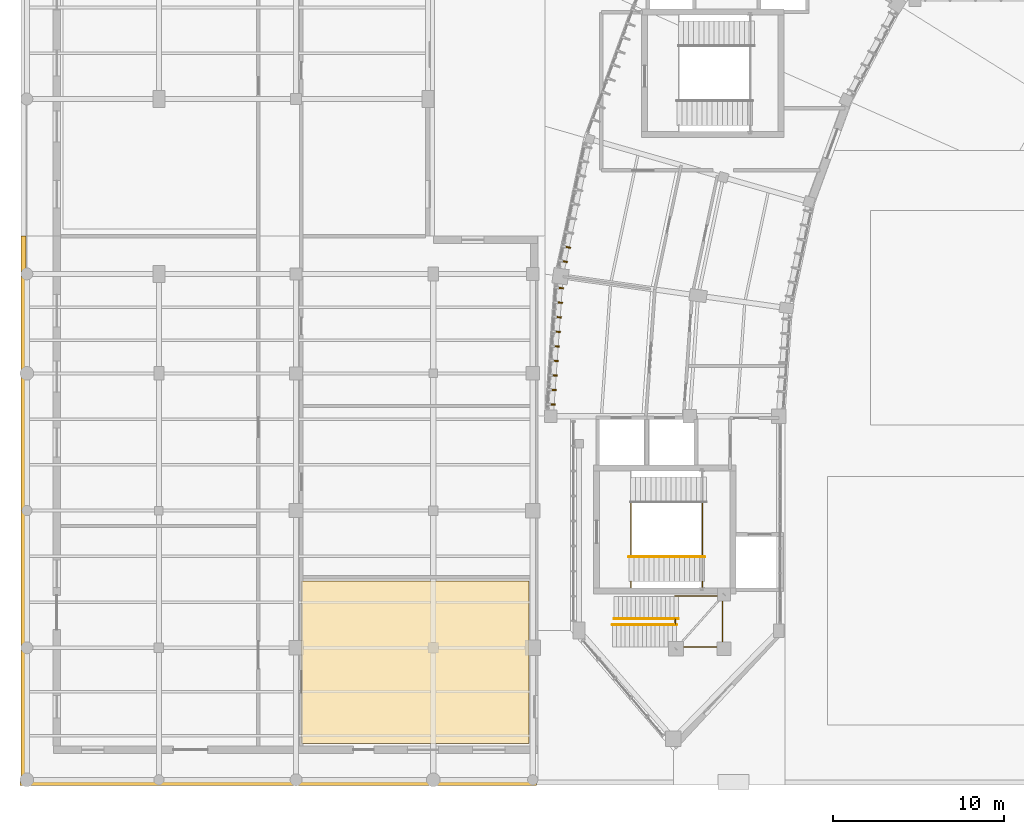
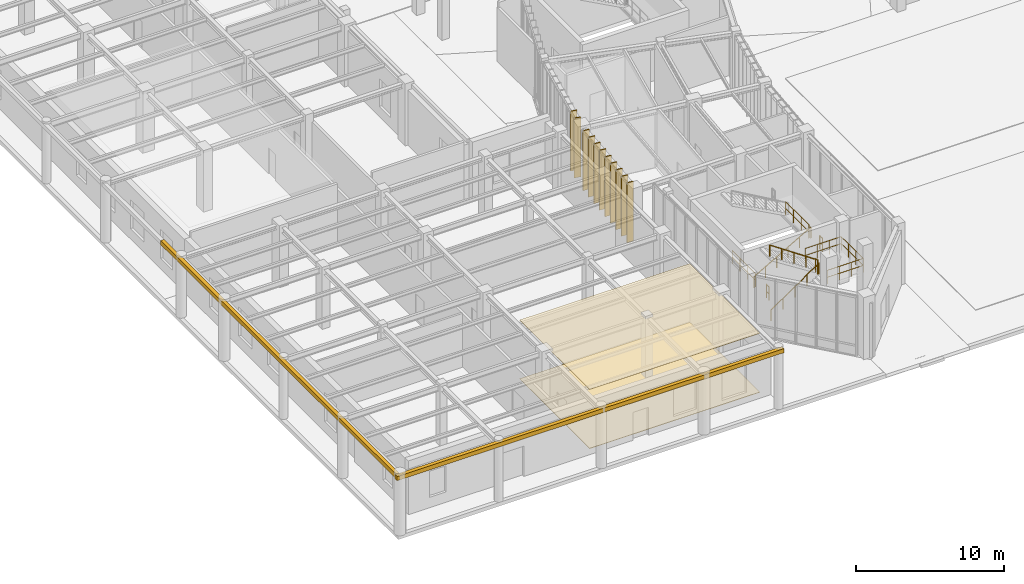
# One storey, part 54 of 68: 15 coverings, 9 railings.
"""IFC4 building model written with IfcOpenShell, lengths in metres."""

from ifc_helpers import new_model, si_unit, direction, frame, origin, origin_2d, place, context, subcontext, project, spatial, polyline, rectangle, circle, outline, extrude, material, layer, layer_set, type_object, element, save


model = new_model("IFC4")

# Units and contexts
model_context = context("Model", 3, precision=1e-05, world=origin(), true_north=direction((0.0, 1.0)))
body_context = subcontext(model_context, "Body", "Model", "MODEL_VIEW")
ifc_project = project(units=[si_unit("LENGTHUNIT", "METRE"), si_unit("AREAUNIT", "SQUARE_METRE"), si_unit("VOLUMEUNIT", "CUBIC_METRE"), si_unit("PLANEANGLEUNIT", "RADIAN"), si_unit("MASSUNIT", "GRAM", prefix="KILO"), si_unit("THERMODYNAMICTEMPERATUREUNIT", "KELVIN"), si_unit("POWERUNIT", "WATT")], contexts=[model_context])

# Site, building, storey
site_placement = place(None, origin())
site = spatial("IfcSite", under=ifc_project, at=site_placement, CompositionType="ELEMENT")
building_placement = place(site_placement, origin())
building = spatial("IfcBuilding", under=site, at=building_placement, Name="Solvatero Civic Police Headquarters", CompositionType="ELEMENT")
storey_placement = place(building_placement, origin())
storey = spatial("IfcBuildingStorey", under=building, at=storey_placement, Name="L00", CompositionType="ELEMENT", Elevation=0.0)

# Coverings
ifc_material_1 = material(Name="Mineral-Fibre Acoustic Tile", Category="gypsum")
ifc_layer_1 = layer(ifc_material_1, 0.02490234375)
ifc_layer_set_1 = layer_set([ifc_layer_1], Name="Mineral-Fibre Acoustic Tile")
covering_type_1 = type_object("IfcCoveringType", Name="COV-CEIL-AC", PredefinedType="CEILING", material=ifc_layer_set_1)
covering_1_placement = place(storey_placement, frame((0.0, 0.0, 4.85498046875)))
element("IfcCovering", 1, at=covering_1_placement, inside=storey, type_object=covering_type_1, Name="Acoustic Ceiling 24-Hour Fire Command and Security Control Room", PredefinedType="CEILING", context=body_context, shape_type="SweptSolid", body=[
    extrude(outline(polyline([(34.080078125, 16.3798828125), (34.080078125, 6.919921875), (20.820068359375, 6.919921875), (20.820068359375, 16.3798828125), (34.080078125, 16.3798828125)])), origin(), (0.0, 0.0, 1.0), 0.02490234375),
])
ifc_material_2 = material(Name="Anodized Bronze Aluminium", Category="aluminium")
ifc_layer_2 = layer(ifc_material_2, 0.080078125)
ifc_layer_set_2 = layer_set([ifc_layer_2], Name="Anodized Bronze Aluminium")
covering_type_2 = type_object("IfcCoveringType", Name="COV-FIN-480", PredefinedType="CLADDING", material=ifc_layer_set_2)
for number, where, z_axis, x_axis, name in (
    (2, (36.263916015625, 35.870849609375, -0.02001953125), (0.0, 0.0, 1.0), (-0.207911690818, -0.978147600734, 0.0), "Vertical Brise-Soleil Fin 0133"),
    (3, (36.08740234375, 35.03955078125, -0.02001953125), (0.0, 0.0, 1.0), (-0.207911690818, -0.978147600734, 0.0), "Vertical Brise-Soleil Fin 0134"),
    (4, (35.853271484375, 33.4755859375, -0.02001953125), (0.0, 0.0, 1.0), (-0.069756473744, -0.99756405026, 0.0), "Vertical Brise-Soleil Fin 0142"),
    (5, (35.7939453125, 32.627685546875, -0.02001953125), (0.0, 0.0, 1.0), (-0.069756473744, -0.99756405026, 0.0), "Vertical Brise-Soleil Fin 0143"),
    (6, (35.734619140625, 31.77978515625, -0.02001953125), (0.0, 0.0, 1.0), (-0.069756473744, -0.99756405026, 0.0), "Vertical Brise-Soleil Fin 0144"),
    (7, (35.67529296875, 30.931884765625, -0.02001953125), (0.0, 0.0, 1.0), (-0.069756473744, -0.99756405026, 0.0), "Vertical Brise-Soleil Fin 0145"),
    (8, (35.6162109375, 30.083740234375, -0.02001953125), (0.0, 0.0, 1.0), (-0.069756473744, -0.99756405026, 0.0), "Vertical Brise-Soleil Fin 0146"),
    (9, (35.556884765625, 29.23583984375, -0.02001953125), (0.0, 0.0, 1.0), (-0.069756473744, -0.99756405026, 0.0), "Vertical Brise-Soleil Fin 0147"),
    (10, (35.49755859375, 28.387939453125, -0.02001953125), (0.0, 0.0, 1.0), (-0.069756473744, -0.99756405026, 0.0), "Vertical Brise-Soleil Fin 0148"),
    (11, (35.438232421875, 27.5400390625, -0.02001953125), (0.0, 0.0, 1.0), (-0.069756473744, -0.99756405026, 0.0), "Vertical Brise-Soleil Fin 0149"),
    (12, (35.37890625, 26.692138671875, -0.02001953125), (0.0, 0.0, 1.0), (-0.069756473744, -0.99756405026, 0.0), "Vertical Brise-Soleil Fin 0150"),
):
    element("IfcCovering", number, at=place(storey_placement, frame(where, z_axis=z_axis, x_axis=x_axis)), inside=storey, type_object=covering_type_2, Name=name, PredefinedType="CLADDING", context=body_context, shape_type="SweptSolid", body=[
        extrude(rectangle(XDim=0.080078125, YDim=0.47998046875, at=origin_2d()), origin(), (0.0, 0.0, 1.0), 4.919921875),
    ])
ifc_material_3 = material(Name="Venetian Terrazzo Stone", Category="masonry")
ifc_layer_3 = layer(ifc_material_3, 0.034912109375)
ifc_layer_set_3 = layer_set([ifc_layer_3], Name="Venetian Terrazzo Stone")
covering_type_3 = type_object("IfcCoveringType", Name="COV-FLR-TER", PredefinedType="FLOORING", material=ifc_layer_set_3)
covering_2_placement = place(storey_placement, origin())
element("IfcCovering", 13, at=covering_2_placement, inside=storey, type_object=covering_type_3, Name="Flooring 24-Hour Fire Command and Security Control Room", PredefinedType="FLOORING", context=body_context, shape_type="SweptSolid", body=[
    extrude(outline(polyline([(34.080078125, 16.3798828125), (34.080078125, 6.919921875), (20.820068359375, 6.919921875), (20.820068359375, 16.3798828125), (34.080078125, 16.3798828125)])), origin(), (0.0, 0.0, 1.0), 0.034912109375),
])
ifc_material_4 = material(Name="Cream Limestone Ashlar", Category="masonry")
ifc_layer_4 = layer(ifc_material_4, 0.10009765625)
ifc_layer_set_4 = layer_set([ifc_layer_4], Name="Cream Limestone Ashlar")
covering_type_4 = type_object("IfcCoveringType", Name="COV-TRIM-STONE", PredefinedType="CLADDING", material=ifc_layer_set_4)
covering_3_placement = place(storey_placement, frame((19.465087890625, 4.60009765625, 4.60986328125), z_axis=(0.0, 0.0, 1.0), x_axis=(1.0, 0.0, 0.0)))
element("IfcCovering", 14, at=covering_3_placement, inside=storey, type_object=covering_type_4, Name="Classical Limestone Trim TRIM-V4-L00-S", PredefinedType="CLADDING", context=body_context, shape_type="SweptSolid", body=[
    extrude(rectangle(XDim=30.1298828125, YDim=0.280029296875, at=origin_2d()), origin(), (0.0, 0.0, 1.0), 0.340087890625),
])
covering_4_placement = place(storey_placement, frame((4.60009765625, 20.5, 4.60986328125), z_axis=(0.0, 0.0, 1.0), x_axis=(1.0, 0.0, 0.0)))
element("IfcCovering", 15, at=covering_4_placement, inside=storey, type_object=covering_type_4, Name="Classical Limestone Trim TRIM-V4-L00-W", PredefinedType="CLADDING", context=body_context, shape_type="SweptSolid", body=[
    extrude(rectangle(XDim=0.280029296875, YDim=32.0, at=origin_2d()), origin(), (0.0, 0.0, 1.0), 0.340087890625),
])

# Railings
ifc_material_5 = material(Name="Anodized Bronze and Laminated Glass", Category="glass")
railing_type_1 = type_object("IfcRailingType", Name="RL-BAL-115", PredefinedType="BALUSTRADE", material=ifc_material_5)
railing_1_placement = place(storey_placement, frame((42.570068359375, 12.5400390625, 2.550048828125)))
element("IfcRailing", 16, at=railing_1_placement, inside=storey, type_object=railing_type_1, Name="ST-PRW L00 Half-Landing Balustrade", PredefinedType="BALUSTRADE", context=body_context, shape_type="SweptSolid", body=[
    extrude(circle(Radius=0.02392578125, at=origin_2d()), frame((0.0, 0.0, 1.1259765625), z_axis=(1.0, 0.0, 0.0), x_axis=(0.0, 1.0, 0.0)), (0.0, 0.0, 1.0), 2.7900390625),
    extrude(circle(Radius=0.02392578125, at=origin_2d()), frame((0.0, 0.0, 0.55078125), z_axis=(1.0, 0.0, 0.0), x_axis=(0.0, 1.0, 0.0)), (0.0, 0.0, 1.0), 2.7900390625),
    extrude(circle(Radius=0.02392578125, at=origin_2d()), frame((2.7900390625, 0.0, 1.1259765625), z_axis=(0.0, 1.0, 0.0), x_axis=(-1.0, 0.0, 0.0)), (0.0, 0.0, 1.0), 2.969970703125),
    extrude(circle(Radius=0.02392578125, at=origin_2d()), frame((2.7900390625, 0.0, 0.55078125), z_axis=(0.0, 1.0, 0.0), x_axis=(-1.0, 0.0, 0.0)), (0.0, 0.0, 1.0), 2.969970703125),
    extrude(circle(Radius=0.02392578125, at=origin_2d()), frame((2.7900390625, 2.969970703125, 1.1259765625), z_axis=(-1.0, 0.0, 0.0), x_axis=(0.0, -1.0, 0.0)), (0.0, 0.0, 1.0), 2.7900390625),
    extrude(circle(Radius=0.02392578125, at=origin_2d()), frame((2.7900390625, 2.969970703125, 0.55078125), z_axis=(-1.0, 0.0, 0.0), x_axis=(0.0, -1.0, 0.0)), (0.0, 0.0, 1.0), 2.7900390625),
    extrude(circle(Radius=0.02099609375, at=origin_2d()), origin(), (0.0, 0.0, 1.0), 1.101806640625),
    extrude(circle(Radius=0.02099609375, at=origin_2d()), frame((0.929931640625, 0.0, 0.0)), (0.0, 0.0, 1.0), 1.101806640625),
    extrude(circle(Radius=0.02099609375, at=origin_2d()), frame((1.860107421875, 0.0, 0.0)), (0.0, 0.0, 1.0), 1.101806640625),
    extrude(circle(Radius=0.02099609375, at=origin_2d()), frame((2.7900390625, 0.0, 0.0)), (0.0, 0.0, 1.0), 1.101806640625),
    extrude(circle(Radius=0.02099609375, at=origin_2d()), frame((2.7900390625, 0.989990234375, 0.0)), (0.0, 0.0, 1.0), 1.101806640625),
    extrude(circle(Radius=0.02099609375, at=origin_2d()), frame((2.7900390625, 1.97998046875, 0.0)), (0.0, 0.0, 1.0), 1.101806640625),
    extrude(circle(Radius=0.02099609375, at=origin_2d()), frame((2.7900390625, 2.969970703125, 0.0)), (0.0, 0.0, 1.0), 1.101806640625),
    extrude(circle(Radius=0.02099609375, at=origin_2d()), frame((1.860107421875, 2.969970703125, 0.0)), (0.0, 0.0, 1.0), 1.101806640625),
    extrude(circle(Radius=0.02099609375, at=origin_2d()), frame((0.929931640625, 2.969970703125, 0.0)), (0.0, 0.0, 1.0), 1.101806640625),
    extrude(circle(Radius=0.02099609375, at=origin_2d()), frame((0.0, 2.969970703125, 0.0)), (0.0, 0.0, 1.0), 1.101806640625),
])
ifc_material_6 = material(Name="Painted Galvanized Steel", Category="steel")
railing_type_2 = type_object("IfcRailingType", Name="RL-GRD-110", PredefinedType="GUARDRAIL", material=ifc_material_6)
railing_2_placement = place(storey_placement, frame((40.030029296875, 17.830078125, 0.0)))
element("IfcRailing", 17, at=railing_2_placement, inside=storey, type_object=railing_type_2, Name="ST-C1 L00 Floor Well Guardrail", PredefinedType="GUARDRAIL", context=body_context, shape_type="SweptSolid", body=[
    extrude(circle(Radius=0.02392578125, at=origin_2d()), frame((0.0, 0.0, 1.09619140625), z_axis=(0.0, 1.0, 0.0), x_axis=(-1.0, 0.0, 0.0)), (0.0, 0.0, 1.0), 3.139892578125),
    extrude(circle(Radius=0.02392578125, at=origin_2d()), frame((0.0, 0.0, 0.5361328125), z_axis=(0.0, 1.0, 0.0), x_axis=(-1.0, 0.0, 0.0)), (0.0, 0.0, 1.0), 3.139892578125),
    extrude(circle(Radius=0.02099609375, at=origin_2d()), origin(), (0.0, 0.0, 1.0), 1.072021484375),
    extrude(circle(Radius=0.02099609375, at=origin_2d()), frame((0.0, 1.046630859375, 0.0)), (0.0, 0.0, 1.0), 1.072021484375),
    extrude(circle(Radius=0.02099609375, at=origin_2d()), frame((0.0, 2.09326171875, 0.0)), (0.0, 0.0, 1.0), 1.072021484375),
    extrude(circle(Radius=0.02099609375, at=origin_2d()), frame((0.0, 3.139892578125, 0.0)), (0.0, 0.0, 1.0), 1.072021484375),
])
railing_3_placement = place(storey_placement, frame((40.030029296875, 16.010009765625, 0.0)))
element("IfcRailing", 18, at=railing_3_placement, inside=storey, type_object=railing_type_2, Name="ST-C1 L00 Floor Well South Slot Guardrail", PredefinedType="GUARDRAIL", context=body_context, shape_type="SweptSolid", body=[
    extrude(circle(Radius=0.02392578125, at=origin_2d()), frame((0.0, 0.0, 1.09619140625), z_axis=(0.0, 1.0, 0.0), x_axis=(-1.0, 0.0, 0.0)), (0.0, 0.0, 1.0), 0.360107421875),
    extrude(circle(Radius=0.02392578125, at=origin_2d()), frame((0.0, 0.0, 0.5361328125), z_axis=(0.0, 1.0, 0.0), x_axis=(-1.0, 0.0, 0.0)), (0.0, 0.0, 1.0), 0.360107421875),
    extrude(circle(Radius=0.02099609375, at=origin_2d()), origin(), (0.0, 0.0, 1.0), 1.072021484375),
    extrude(circle(Radius=0.02099609375, at=origin_2d()), frame((0.0, 0.360107421875, 0.0)), (0.0, 0.0, 1.0), 1.072021484375),
])
railing_4_placement = place(storey_placement, frame((44.195068359375, 17.830078125, 2.550048828125)))
element("IfcRailing", 19, at=railing_4_placement, inside=storey, type_object=railing_type_2, Name="ST-C1 L00 Half-Landing Well Guardrail", PredefinedType="GUARDRAIL", context=body_context, shape_type="SweptSolid", body=[
    extrude(circle(Radius=0.02392578125, at=origin_2d()), frame((0.0, 0.0, 1.09619140625), z_axis=(0.0, 1.0, 0.0), x_axis=(-1.0, 0.0, 0.0)), (0.0, 0.0, 1.0), 3.139892578125),
    extrude(circle(Radius=0.02392578125, at=origin_2d()), frame((0.0, 0.0, 0.5361328125), z_axis=(0.0, 1.0, 0.0), x_axis=(-1.0, 0.0, 0.0)), (0.0, 0.0, 1.0), 3.139892578125),
    extrude(circle(Radius=0.02099609375, at=origin_2d()), origin(), (0.0, 0.0, 1.0), 1.072021484375),
    extrude(circle(Radius=0.02099609375, at=origin_2d()), frame((0.0, 1.046630859375, 0.0)), (0.0, 0.0, 1.0), 1.072021484375),
    extrude(circle(Radius=0.02099609375, at=origin_2d()), frame((0.0, 2.09326171875, 0.0)), (0.0, 0.0, 1.0), 1.072021484375),
    extrude(circle(Radius=0.02099609375, at=origin_2d()), frame((0.0, 3.139892578125, 0.0)), (0.0, 0.0, 1.0), 1.072021484375),
])
railing_5_placement = place(storey_placement, frame((44.195068359375, 16.010009765625, 2.550048828125)))
element("IfcRailing", 20, at=railing_5_placement, inside=storey, type_object=railing_type_2, Name="ST-C1 L00 Half-Landing South Slot Guardrail", PredefinedType="GUARDRAIL", context=body_context, shape_type="SweptSolid", body=[
    extrude(circle(Radius=0.02392578125, at=origin_2d()), frame((0.0, 0.0, 1.09619140625), z_axis=(0.0, 1.0, 0.0), x_axis=(-1.0, 0.0, 0.0)), (0.0, 0.0, 1.0), 0.360107421875),
    extrude(circle(Radius=0.02392578125, at=origin_2d()), frame((0.0, 0.0, 0.5361328125), z_axis=(0.0, 1.0, 0.0), x_axis=(-1.0, 0.0, 0.0)), (0.0, 0.0, 1.0), 0.360107421875),
    extrude(circle(Radius=0.02099609375, at=origin_2d()), origin(), (0.0, 0.0, 1.0), 1.072021484375),
    extrude(circle(Radius=0.02099609375, at=origin_2d()), frame((0.0, 0.360107421875, 0.0)), (0.0, 0.0, 1.0), 1.072021484375),
])
railing_6_placement = place(storey_placement, frame((42.60009765625, 13.8798828125, 2.550048828125)))
element("IfcRailing", 21, at=railing_6_placement, inside=storey, type_object=railing_type_2, Name="ST-PRW L00 Half-Landing Slot Guardrail", PredefinedType="GUARDRAIL", context=body_context, shape_type="SweptSolid", body=[
    extrude(circle(Radius=0.02392578125, at=origin_2d()), frame((0.0, 0.0, 1.09619140625), z_axis=(0.0, 1.0, 0.0), x_axis=(-1.0, 0.0, 0.0)), (0.0, 0.0, 1.0), 0.280029296875),
    extrude(circle(Radius=0.02392578125, at=origin_2d()), frame((0.0, 0.0, 0.5361328125), z_axis=(0.0, 1.0, 0.0), x_axis=(-1.0, 0.0, 0.0)), (0.0, 0.0, 1.0), 0.280029296875),
    extrude(circle(Radius=0.02099609375, at=origin_2d()), origin(), (0.0, 0.0, 1.0), 1.072021484375),
    extrude(circle(Radius=0.02099609375, at=origin_2d()), frame((0.0, 0.280029296875, 0.0)), (0.0, 0.0, 1.0), 1.072021484375),
])
ifc_material_7 = material(Name="Brushed Stainless Steel", Category="steel")
railing_type_3 = type_object("IfcRailingType", Name="RL-HND-092", PredefinedType="HANDRAIL", material=ifc_material_7)
railing_7_placement = place(storey_placement, frame((39.89990234375, 17.800048828125, 0.0)))
element("IfcRailing", 22, at=railing_7_placement, inside=storey, type_object=railing_type_3, Name="ST-C1 L00 Flight 1 Handrail", PredefinedType="HANDRAIL", context=body_context, shape_type="SweptSolid", body=[
    extrude(circle(Radius=0.02392578125, at=origin_2d()), frame((0.0, 0.0, 0.89599609375), z_axis=(0.866428212428, 0.0, 0.499301665038), x_axis=(0.0, 1.0, 0.0)), (0.0, 0.0, 1.0), 5.107177734375),
    extrude(circle(Radius=0.02099609375, at=origin_2d()), origin(), (0.0, 0.0, 1.0), 0.871826171875),
    extrude(circle(Radius=0.02099609375, at=origin_2d()), frame((0.885009765625, 0.0, 0.510009765625)), (0.0, 0.0, 1.0), 0.871826171875),
    extrude(circle(Radius=0.02099609375, at=origin_2d()), frame((1.77001953125, 0.0, 1.02001953125)), (0.0, 0.0, 1.0), 0.871826171875),
    extrude(circle(Radius=0.02099609375, at=origin_2d()), frame((2.655029296875, 0.0, 1.530029296875)), (0.0, 0.0, 1.0), 0.871826171875),
    extrude(circle(Radius=0.02099609375, at=origin_2d()), frame((3.5400390625, 0.0, 2.0400390625)), (0.0, 0.0, 1.0), 0.871826171875),
    extrude(circle(Radius=0.02099609375, at=origin_2d()), frame((4.425048828125, 0.0, 2.550048828125)), (0.0, 0.0, 1.0), 0.871826171875),
])
railing_8_placement = place(storey_placement, frame((38.93994140625, 13.85009765625, 0.0)))
element("IfcRailing", 23, at=railing_8_placement, inside=storey, type_object=railing_type_3, Name="ST-PRW L00 Flight 1 Handrail", PredefinedType="HANDRAIL", context=body_context, shape_type="SweptSolid", body=[
    extrude(circle(Radius=0.02392578125, at=origin_2d()), frame((0.0, 0.0, 0.89599609375), z_axis=(0.826921495403, 0.0, 0.562317384081), x_axis=(0.0, 1.0, 0.0)), (0.0, 0.0, 1.0), 4.534912109375),
    extrude(circle(Radius=0.02099609375, at=origin_2d()), origin(), (0.0, 0.0, 1.0), 0.871826171875),
    extrude(circle(Radius=0.02099609375, at=origin_2d()), frame((0.9375, 0.0, 0.637451171875)), (0.0, 0.0, 1.0), 0.871826171875),
    extrude(circle(Radius=0.02099609375, at=origin_2d()), frame((1.875, 0.0, 1.27490234375)), (0.0, 0.0, 1.0), 0.871826171875),
    extrude(circle(Radius=0.02099609375, at=origin_2d()), frame((2.8125, 0.0, 1.91259765625)), (0.0, 0.0, 1.0), 0.871826171875),
    extrude(circle(Radius=0.02099609375, at=origin_2d()), frame((3.75, 0.0, 2.550048828125)), (0.0, 0.0, 1.0), 0.871826171875),
])
railing_9_placement = place(storey_placement, frame((42.7900390625, 14.18994140625, 2.550048828125)))
element("IfcRailing", 24, at=railing_9_placement, inside=storey, type_object=railing_type_3, Name="ST-PRW L00 Flight 2 Handrail", PredefinedType="HANDRAIL", context=body_context, shape_type="SweptSolid", body=[
    extrude(circle(Radius=0.02392578125, at=origin_2d()), frame((0.0, 0.0, 0.89599609375), z_axis=(-0.826921495403, 0.0, 0.562317384081), x_axis=(0.0, -1.0, 0.0)), (0.0, 0.0, 1.0), 4.534912109375),
    extrude(circle(Radius=0.02099609375, at=origin_2d()), origin(), (0.0, 0.0, 1.0), 0.871826171875),
    extrude(circle(Radius=0.02099609375, at=origin_2d()), frame((-0.9375, 0.0, 0.637451171875)), (0.0, 0.0, 1.0), 0.871826171875),
    extrude(circle(Radius=0.02099609375, at=origin_2d()), frame((-1.875, 0.0, 1.27490234375)), (0.0, 0.0, 1.0), 0.871826171875),
    extrude(circle(Radius=0.02099609375, at=origin_2d()), frame((-2.8125, 0.0, 1.91259765625)), (0.0, 0.0, 1.0), 0.871826171875),
    extrude(circle(Radius=0.02099609375, at=origin_2d()), frame((-3.75, 0.0, 2.550048828125)), (0.0, 0.0, 1.0), 0.871826171875),
])

save(model, "model.ifc")
